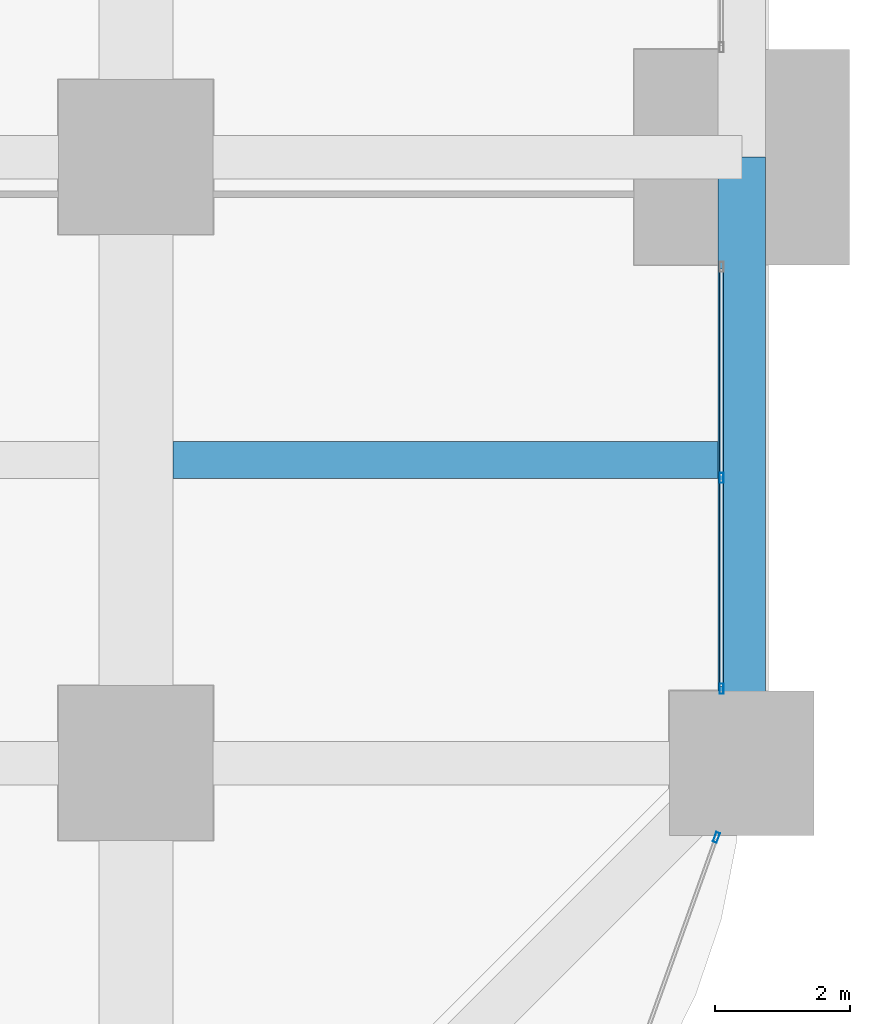
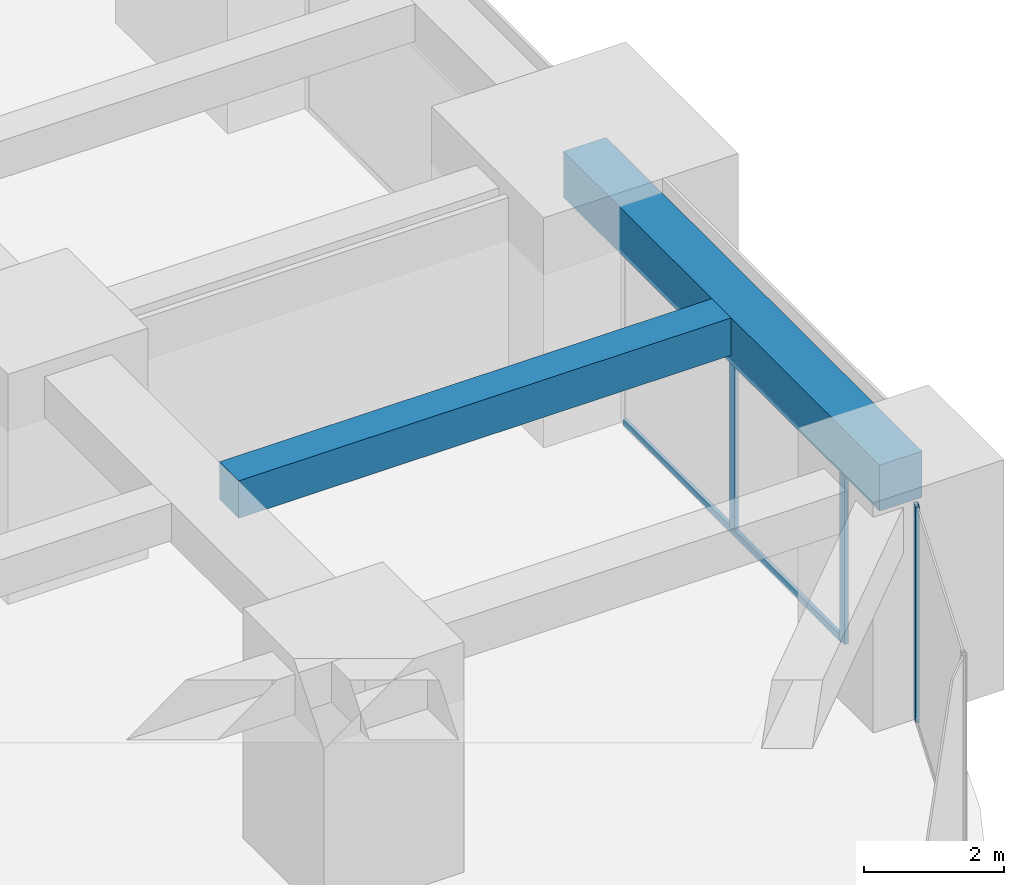
# One storey, part 19 of 50: 4 members, 2 beams, 2 elements without a shape of their own.
"""IFC4 building model written with IfcOpenShell, lengths in metres."""

from ifc_helpers import new_model, si_unit, direction, frame, origin, origin_2d, place, context, subcontext, project, spatial, rectangle, hollow_rectangle, extrude, material, material_profile, profile_set, type_object, element, aggregate, save


model = new_model("IFC4")

# Units and contexts
model_context = context("Model", 3, precision=1e-05, world=origin(), true_north=direction((0.0, 1.0)))
body_context = subcontext(model_context, "Body", "Model", "MODEL_VIEW")
ifc_project = project(units=[si_unit("LENGTHUNIT", "METRE"), si_unit("AREAUNIT", "SQUARE_METRE"), si_unit("VOLUMEUNIT", "CUBIC_METRE"), si_unit("PLANEANGLEUNIT", "RADIAN"), si_unit("MASSUNIT", "GRAM", prefix="KILO")], contexts=[model_context])

# Site, building, storey
site_placement = place(None, origin())
site = spatial("IfcSite", under=ifc_project, at=site_placement, CompositionType="ELEMENT")
building_placement = place(site_placement, origin())
building = spatial("IfcBuilding", under=site, at=building_placement, Name="Zorevar Civic Tower", CompositionType="ELEMENT")
storey_placement = place(building_placement, frame((0.0, 0.0, 85.0)))
storey = spatial("IfcBuildingStorey", under=building, at=storey_placement, Name="L20", CompositionType="ELEMENT", Elevation=85.0)

# Beam
ifc_material_1 = material(Name="Concrete C50/60", Category="concrete")
ifc_material_profile_1 = material_profile(ifc_material_1, rectangle(XDim=0.550048828125, YDim=0.64990234375, at=origin_2d()), Name="RC 550x650")
ifc_profile_set_1 = profile_set([ifc_material_profile_1], Name="Concrete C50/60")
beam_type_1 = type_object("IfcBeamType", Name="Beam RC 550x650", PredefinedType="BEAM", material=ifc_profile_set_1)
beam_1_placement = place(storey_placement, frame((54.550048828125, 13.5, 3.425048828125), z_axis=(1.0, 0.0, 0.0), x_axis=(0.0, 1.0, 0.0)))
element("IfcBeam", 1, at=beam_1_placement, inside=storey, type_object=beam_type_1, Name="Secondary beam L21", PredefinedType="BEAM", context=body_context, shape_type="SweptSolid", body=[
    extrude(rectangle(XDim=0.550048828125, YDim=0.64990234375, at=origin_2d()), origin(), (0.0, 0.0, 1.0), 8.099853515625),
])

# Curtain wall, members
ifc_material_2 = material(Name="Dark grey solar-control glass in black aluminium frame", Category="aluminium")
curtain_wall_type = type_object("IfcCurtainWallType", Name="Curtain wall CW3 mid zone", PredefinedType="NOTDEFINED", material=ifc_material_2)
curtain_wall_1_placement = place(storey_placement, origin())
curtain_wall_1 = element("IfcCurtainWall", 2, at=curtain_wall_1_placement, inside=storey, type_object=curtain_wall_type, Name="CW3 L20", PredefinedType="NOTDEFINED")
ifc_material_3 = material(Name="Aluminium, black anodised", Category="aluminium")
ifc_material_profile_2 = material_profile(ifc_material_3, hollow_rectangle(XDim=0.06005859375, YDim=0.14990234375, WallThickness=0.00390625, at=origin_2d()), Name="AL 150x60x4")
ifc_profile_set_2 = profile_set([ifc_material_profile_2], Name="Aluminium, black anodised")
member_type_1 = type_object("IfcMemberType", Name="CW3 mullion AL 150x60x4", PredefinedType="MULLION", material=ifc_profile_set_2)
member_1_placement = place(storey_placement, frame((62.699951171875, 10.10498046875, 0.0), z_axis=(0.0, 0.0, 1.0), x_axis=(-1.0, 0.0, 0.0)))
member_1 = element("IfcMember", 3, at=member_1_placement, type_object=member_type_1, Name="CW3 mullion 1", PredefinedType="MULLION", context=body_context, shape_type="SweptSolid", body=[
    extrude(hollow_rectangle(XDim=0.06005859375, YDim=0.14990234375, WallThickness=0.00390625, at=origin_2d()), origin(), (0.0, 0.0, 1.0), 2.949951171875),
])
member_2_placement = place(storey_placement, frame((62.699951171875, 13.237548828125, 0.06005859375), z_axis=(0.0, 0.0, 1.0), x_axis=(-1.0, 0.0, 0.0)))
member_2 = element("IfcMember", 4, at=member_2_placement, type_object=member_type_1, Name="CW3 mullion 2", PredefinedType="MULLION", context=body_context, shape_type="SweptSolid", body=[
    extrude(hollow_rectangle(XDim=0.06005859375, YDim=0.14990234375, WallThickness=0.00390625, at=origin_2d()), origin(), (0.0, 0.0, 1.0), 2.889892578125),
])

# Curtain wall, member
curtain_wall_2_placement = place(storey_placement, origin())
curtain_wall_2 = element("IfcCurtainWall", 5, at=curtain_wall_2_placement, inside=storey, type_object=curtain_wall_type, Name="CW3 L20", PredefinedType="NOTDEFINED")
member_3_placement = place(storey_placement, frame((62.623046875, 7.896728515625, 0.0), z_axis=(0.0, 0.0, 1.0), x_axis=(-0.941281589934, 0.337622523614, 0.0)))
member_3 = element("IfcMember", 6, at=member_3_placement, type_object=member_type_1, Name="CW3 mullion 2", PredefinedType="MULLION", context=body_context, shape_type="SweptSolid", body=[
    extrude(hollow_rectangle(XDim=0.06005859375, YDim=0.14990234375, WallThickness=0.00390625, at=origin_2d()), origin(), (0.0, 0.0, 1.0), 3.75),
])
aggregate(curtain_wall_2, [member_3])

# Member
ifc_material_4 = material(Name="Aluminium, black anodised", Category="aluminium")
ifc_material_profile_3 = material_profile(ifc_material_4, hollow_rectangle(XDim=0.06005859375, YDim=0.1201171875, WallThickness=0.0029296875, at=origin_2d()), Name="AL 120x60x3")
ifc_profile_set_3 = profile_set([ifc_material_profile_3], Name="Aluminium, black anodised")
member_type_2 = type_object("IfcMemberType", Name="CW3 transom AL 120x60x3", PredefinedType="USERDEFINED", material=ifc_profile_set_3)
member_4_placement = place(storey_placement, frame((62.699951171875, 10.135009765625, 0.030029296875), z_axis=(0.0, 1.0, 0.0), x_axis=(-1.0, 0.0, 0.0)))
member_4 = element("IfcMember", 7, at=member_4_placement, type_object=member_type_2, Name="CW3 sill transom", ObjectType="TRANSOM", PredefinedType="USERDEFINED", context=body_context, shape_type="SweptSolid", body=[
    extrude(hollow_rectangle(XDim=0.06005859375, YDim=0.1201171875, WallThickness=0.0029296875, at=origin_2d()), origin(), (0.0, 0.0, 1.0), 6.205078125),
])

aggregate(curtain_wall_1, [member_1, member_2, member_4])

# Beam
ifc_material_5 = material(Name="Concrete C50/60", Category="concrete")
ifc_material_profile_4 = material_profile(ifc_material_5, rectangle(XDim=0.699951171875, YDim=0.800048828125, at=origin_2d()), Name="RC 700x800")
ifc_profile_set_4 = profile_set([ifc_material_profile_4], Name="Concrete C50/60")
beam_type_2 = type_object("IfcBeamType", Name="Edge beam RC 700x800", PredefinedType="SPANDREL", material=ifc_profile_set_4)
beam_2_placement = place(storey_placement, frame((63.0, 9.0, 3.35009765625), z_axis=(0.0, 1.0, 0.0), x_axis=(-1.0, 0.0, 0.0)))
element("IfcBeam", 8, at=beam_2_placement, inside=storey, type_object=beam_type_2, Name="Edge beam L21", PredefinedType="SPANDREL", context=body_context, shape_type="SweptSolid", body=[
    extrude(rectangle(XDim=0.699951171875, YDim=0.800048828125, at=origin_2d()), origin(), (0.0, 0.0, 1.0), 9.0),
])

save(model, "model.ifc")
